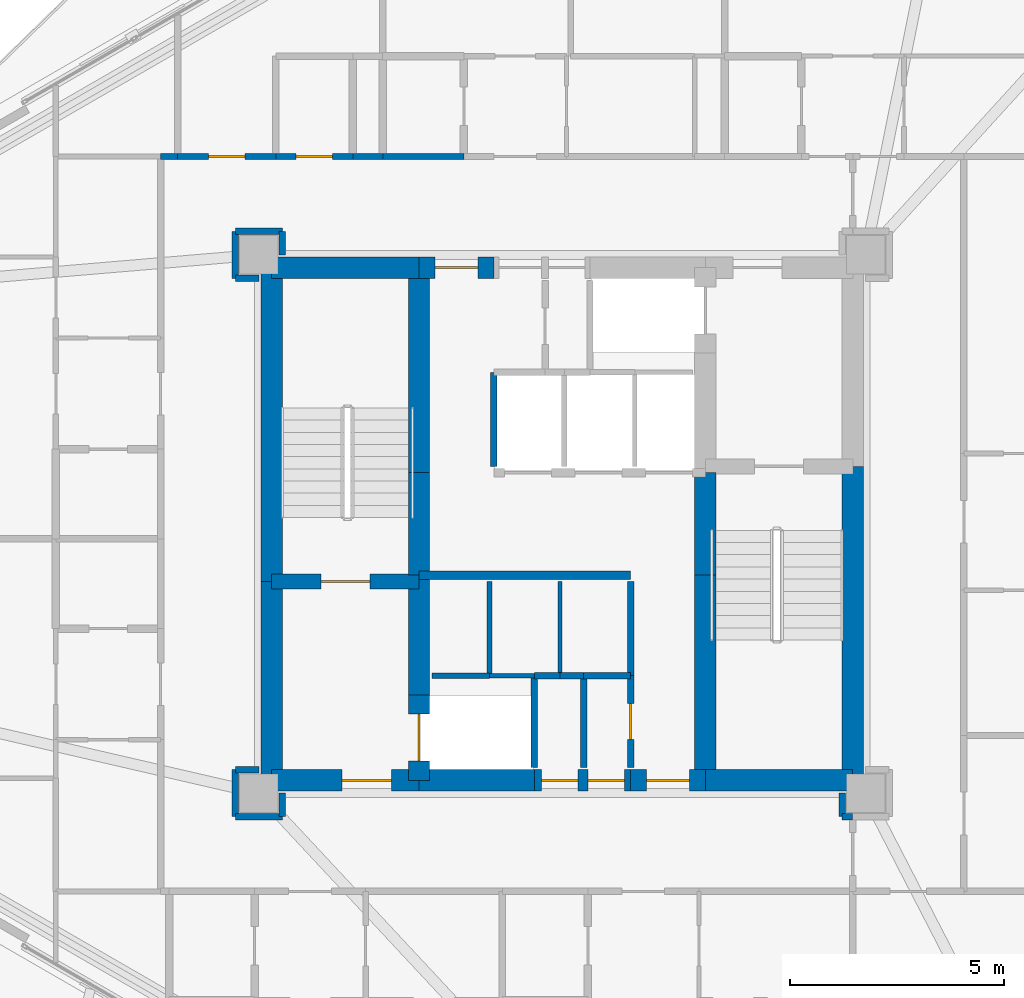
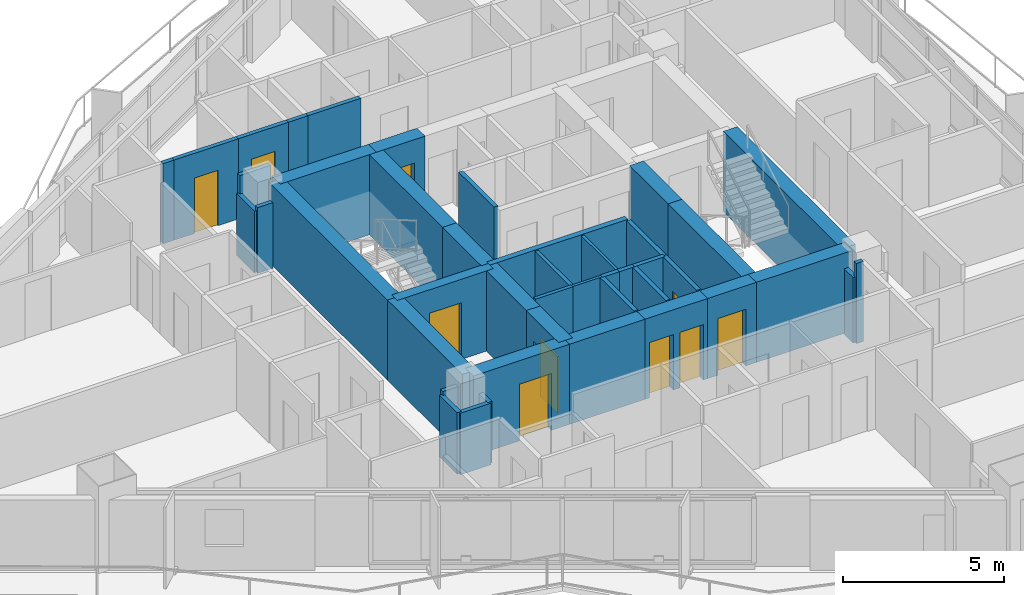
# One storey, part 13 of 18: 45 walls, 10 doors, 10 openings.
"""IFC4 building model written with IfcOpenShell, lengths in metres."""

from ifc_helpers import new_model, si_unit, direction, frame, frame_2d, origin, place, context, subcontext, project, spatial, rectangle, extrude, material, layer, layer_set, type_object, element, fill, save


model = new_model("IFC4")

# Units and contexts
model_context = context("Model", 3, precision=1e-05, world=origin(), true_north=direction((0.0, 1.0)))
body_context = subcontext(model_context, "Body", "Model", "MODEL_VIEW")
ifc_project = project(units=[si_unit("LENGTHUNIT", "METRE"), si_unit("AREAUNIT", "SQUARE_METRE"), si_unit("VOLUMEUNIT", "CUBIC_METRE"), si_unit("PLANEANGLEUNIT", "RADIAN"), si_unit("MASSUNIT", "GRAM", prefix="KILO")], contexts=[model_context])

# Site, building, storey
site_placement = place(None, origin())
site = spatial("IfcSite", under=ifc_project, at=site_placement, CompositionType="ELEMENT")
building_placement = place(site_placement, origin())
building = spatial("IfcBuilding", under=site, at=building_placement, Name="Mersakhor Tower and Convention Hall", CompositionType="ELEMENT")
storey_placement = place(building_placement, frame((0.0, 0.0, 55.5)))
storey = spatial("IfcBuildingStorey", under=building, at=storey_placement, Name="L15", CompositionType="ELEMENT", Elevation=55.5)

# Walls
ifc_material_1 = material(Name="Lightweight gypsum partition", Category="other")
ifc_layer_1 = layer(ifc_material_1, 0.10009765625)
ifc_layer_set_1 = layer_set([ifc_layer_1], Name="Lightweight gypsum partition")
wall_type_1 = type_object("IfcWallType", Name="WL-PRT-100", PredefinedType="PARTITIONING", material=ifc_layer_set_1)
wall_1_placement = place(storey_placement, frame((27.300048828125, 23.199951171875, 0.0), z_axis=(0.0, 0.0, 1.0), x_axis=(1.0, 0.0, 0.0)))
element("IfcWall", 1, at=wall_1_placement, inside=storey, type_object=wall_type_1, Name="L15 Interior Partition Wall P-002", PredefinedType="PARTITIONING", context=body_context, shape_type="SweptSolid", body=[
    extrude(rectangle(XDim=1.050048828125, YDim=0.10009765625, at=frame_2d((0.52490234375, 0.0))), origin(), (0.0, 0.0, 1.0), 3.0400390625),
])
wall_2_placement = place(storey_placement, frame((28.949951171875, 25.39990234375, 0.0), z_axis=(0.0, 0.0, 1.0), x_axis=(0.0, -1.0, 0.0)))
element("IfcWall", 2, at=wall_2_placement, inside=storey, type_object=wall_type_1, Name="L15 Interior Partition Wall P-008", PredefinedType="PARTITIONING", context=body_context, shape_type="SweptSolid", body=[
    extrude(rectangle(XDim=2.199951171875, YDim=0.10009765625, at=frame_2d((1.10009765625, 0.0))), origin(), (0.0, 0.0, 1.0), 3.0400390625),
])
ifc_material_2 = material(Name="Gypsum board acoustic partition", Category="other")
ifc_layer_2 = layer(ifc_material_2, 0.125)
ifc_layer_set_2 = layer_set([ifc_layer_2], Name="Gypsum board acoustic partition")
wall_type_2 = type_object("IfcWallType", Name="WL-PRT-125", PredefinedType="PARTITIONING", material=ifc_layer_set_2)
wall_3_placement = place(storey_placement, frame((25.949951171875, 23.199951171875, 0.0), z_axis=(0.0, 0.0, 1.0), x_axis=(1.0, 0.0, 0.0)))
element("IfcWall", 3, at=wall_3_placement, inside=storey, type_object=wall_type_2, Name="L15 Interior Partition Wall P-001", PredefinedType="PARTITIONING", context=body_context, shape_type="SweptSolid", body=[
    extrude(rectangle(XDim=1.35009765625, YDim=0.125, at=frame_2d((0.675048828125, 0.0))), origin(), (0.0, 0.0, 1.0), 3.0400390625),
])
wall_4_placement = place(storey_placement, frame((27.300048828125, 25.39990234375, 0.0), z_axis=(0.0, 0.0, 1.0), x_axis=(0.0, -1.0, 0.0)))
element("IfcWall", 4, at=wall_4_placement, inside=storey, type_object=wall_type_2, Name="L15 Interior Partition Wall P-007", PredefinedType="PARTITIONING", context=body_context, shape_type="SweptSolid", body=[
    extrude(rectangle(XDim=2.199951171875, YDim=0.125, at=frame_2d((1.10009765625, 0.0))), origin(), (0.0, 0.0, 1.0), 3.0400390625),
])
ifc_material_3 = material(Name="Fire-rated gypsum board stud partition", Category="other")
ifc_layer_3 = layer(ifc_material_3, 0.14990234375)
ifc_layer_set_3 = layer_set([ifc_layer_3], Name="Fire-rated gypsum board stud partition")
wall_type_3 = type_object("IfcWallType", Name="WL-PRT-150", PredefinedType="PARTITIONING", material=ifc_layer_set_3)
wall_5_placement = place(storey_placement, frame((28.35009765625, 23.199951171875, 0.0), z_axis=(0.0, 0.0, 1.0), x_axis=(0.0, -1.0, 0.0)))
element("IfcWall", 5, at=wall_5_placement, inside=storey, type_object=wall_type_3, Name="L15 Interior Partition Wall P-003", PredefinedType="PARTITIONING", context=body_context, shape_type="SweptSolid", body=[
    extrude(rectangle(XDim=2.14990234375, YDim=0.14990234375, at=frame_2d((1.074951171875, 0.0))), origin(), (0.0, 0.0, 1.0), 3.0400390625),
])
wall_6_placement = place(storey_placement, frame((28.949951171875, 23.199951171875, 0.0), z_axis=(0.0, 0.0, 1.0), x_axis=(-1.0, 0.0, 0.0)))
element("IfcWall", 6, at=wall_6_placement, inside=storey, type_object=wall_type_3, Name="L15 Interior Partition Wall P-009", PredefinedType="PARTITIONING", context=body_context, shape_type="SweptSolid", body=[
    extrude(rectangle(XDim=0.599853515625, YDim=0.14990234375, at=frame_2d((0.2998046875, 0.0))), origin(), (0.0, 0.0, 1.0), 3.0400390625),
])
wall_7_placement = place(storey_placement, frame((30.60009765625, 25.39990234375, 0.0), z_axis=(0.0, 0.0, 1.0), x_axis=(0.0, -1.0, 0.0)))
element("IfcWall", 7, at=wall_7_placement, inside=storey, type_object=wall_type_3, Name="L15 Interior Partition Wall P-010", PredefinedType="PARTITIONING", context=body_context, shape_type="SweptSolid", body=[
    extrude(rectangle(XDim=2.199951171875, YDim=0.14990234375, at=frame_2d((1.10009765625, 0.0))), origin(), (0.0, 0.0, 1.0), 3.0400390625),
])
wall_8_placement = place(storey_placement, frame((30.60009765625, 23.199951171875, 0.0), z_axis=(0.0, 0.0, 1.0), x_axis=(-1.0, 0.0, 0.0)))
element("IfcWall", 8, at=wall_8_placement, inside=storey, type_object=wall_type_3, Name="L15 Interior Partition Wall P-011", PredefinedType="PARTITIONING", context=body_context, shape_type="SweptSolid", body=[
    extrude(rectangle(XDim=1.10009765625, YDim=0.14990234375, at=frame_2d((0.550048828125, 0.0))), origin(), (0.0, 0.0, 1.0), 3.0400390625),
])
wall_9_placement = place(storey_placement, frame((29.5, 23.199951171875, 0.0), z_axis=(0.0, 0.0, 1.0), x_axis=(-1.0, 0.0, 0.0)))
element("IfcWall", 9, at=wall_9_placement, inside=storey, type_object=wall_type_3, Name="L15 Interior Partition Wall P-012", PredefinedType="PARTITIONING", context=body_context, shape_type="SweptSolid", body=[
    extrude(rectangle(XDim=0.550048828125, YDim=0.14990234375, at=frame_2d((0.27490234375, 0.0))), origin(), (0.0, 0.0, 1.0), 3.0400390625),
])
wall_10_placement = place(storey_placement, frame((27.39990234375, 28.10009765625, 0.0), z_axis=(0.0, 0.0, 1.0), x_axis=(0.0, 1.0, 0.0)))
element("IfcWall", 10, at=wall_10_placement, inside=storey, type_object=wall_type_3, Name="L15 Interior Partition Wall P-016", PredefinedType="PARTITIONING", context=body_context, shape_type="SweptSolid", body=[
    extrude(rectangle(XDim=2.199951171875, YDim=0.14990234375, at=frame_2d((1.10009765625, 0.0))), origin(), (0.0, 0.0, 1.0), 3.0400390625),
])

# Wall, opening, door
wall_11_placement = place(storey_placement, frame((30.60009765625, 21.050048828125, 0.0), z_axis=(0.0, 0.0, 1.0), x_axis=(0.0, 1.0, 0.0)))
wall_11 = element("IfcWall", 11, at=wall_11_placement, inside=storey, type_object=wall_type_3, Name="L15 Interior Partition Wall P-019", PredefinedType="PARTITIONING", context=body_context, shape_type="SweptSolid", body=[
    extrude(rectangle(XDim=2.14990234375, YDim=0.14990234375, at=frame_2d((1.074951171875, 0.0))), origin(), (0.0, 0.0, 1.0), 3.0400390625),
])
opening_1_placement = place(wall_11_placement, frame((0.64990234375, 0.0, 0.0)))
opening_1 = element("IfcOpeningElement", 12, at=opening_1_placement, cuts=wall_11, Name="Opening SVD-01", PredefinedType="OPENING", context=body_context, shape_type="SweptSolid", body=[
    extrude(rectangle(XDim=0.85009765625, YDim=2.10009765625, at=frame_2d((0.425048828125, 1.050048828125))), frame((0.0, 0.0849609375, 0.0), z_axis=(0.0, -1.0, 0.0), x_axis=(1.0, 0.0, 0.0)), (0.0, 0.0, 1.0), 0.169921875),
])
ifc_material_4 = material(Name="Fire-rated hardwood leaf and painted steel frame", Category="steel")
door_type_1 = type_object("IfcDoorType", Name="DR-INT-SVC-085x210", OperationType="NOTDEFINED", PredefinedType="DOOR", material=ifc_material_4)
door_1_placement = place(opening_1_placement, origin())
door_1 = element("IfcDoor", 13, at=door_1_placement, inside=storey, type_object=door_type_1, Name="L15 Central Passenger Lift Lobby to Refuse and Recycling Room Door", OperationType="SINGLE_SWING_LEFT", OverallHeight=2.10009765625, OverallWidth=0.85009765625, PredefinedType="DOOR", context=body_context, shape_type="SweptSolid", body=[
    extrude(rectangle(XDim=0.85009765625, YDim=2.10009765625, at=frame_2d((0.425048828125, 1.050048828125))), frame((0.0, 0.02490234375, 0.0), z_axis=(0.0, -1.0, 0.0), x_axis=(1.0, 0.0, 0.0)), (0.0, 0.0, 1.0), 0.050048828125),
])
fill(opening_1, door_1)

# Walls
wall_12_placement = place(storey_placement, frame((21.35009765625, 19.89990234375, 0.0), z_axis=(0.0, 0.0, 1.0), x_axis=(1.0, 0.0, 0.0)))
element("IfcWall", 14, at=wall_12_placement, inside=storey, type_object=wall_type_3, Name="L15 Interior Partition Wall P-021", PredefinedType="PARTITIONING", context=body_context, shape_type="SweptSolid", body=[
    extrude(rectangle(XDim=1.099853515625, YDim=0.14990234375, at=frame_2d((0.5498046875, 0.0))), origin(), (0.0, 0.0, 1.0), 2.33740234375),
])
wall_13_placement = place(storey_placement, frame((22.449951171875, 19.89990234375, 0.0), z_axis=(0.0, 0.0, 1.0), x_axis=(0.0, 1.0, 0.0)))
element("IfcWall", 15, at=wall_13_placement, inside=storey, type_object=wall_type_3, Name="L15 Interior Partition Wall P-022", PredefinedType="PARTITIONING", context=body_context, shape_type="SweptSolid", body=[
    extrude(rectangle(XDim=0.550048828125, YDim=0.14990234375, at=frame_2d((0.27490234375, 0.0))), origin(), (0.0, 0.0, 1.0), 2.33740234375),
])
wall_14_placement = place(storey_placement, frame((35.550048828125, 20.449951171875, 0.0), z_axis=(0.0, 0.0, 1.0), x_axis=(0.0, -1.0, 0.0)))
element("IfcWall", 16, at=wall_14_placement, inside=storey, type_object=wall_type_3, Name="L15 Interior Partition Wall P-023", PredefinedType="PARTITIONING", context=body_context, shape_type="SweptSolid", body=[
    extrude(rectangle(XDim=0.550048828125, YDim=0.14990234375, at=frame_2d((0.27490234375, 0.0))), origin(), (0.0, 0.0, 1.0), 2.48828125),
])
wall_15_placement = place(storey_placement, frame((35.550048828125, 19.89990234375, 0.0), z_axis=(0.0, 0.0, 1.0), x_axis=(1.0, 0.0, 0.0)))
element("IfcWall", 17, at=wall_15_placement, inside=storey, type_object=wall_type_3, Name="L15 Interior Partition Wall P-024", PredefinedType="PARTITIONING", context=body_context, shape_type="SweptSolid", body=[
    extrude(rectangle(XDim=0.25, YDim=0.14990234375, at=frame_2d((0.125, 0.0))), origin(), (0.0, 0.0, 1.0), 3.0400390625),
])
wall_16_placement = place(storey_placement, frame((19.60009765625, 35.35009765625, 0.0), z_axis=(0.0, 0.0, 1.0), x_axis=(1.0, 0.0, 0.0)))
element("IfcWall", 18, at=wall_16_placement, inside=storey, type_object=wall_type_3, Name="L15 Interior Partition Wall P-039", PredefinedType="PARTITIONING", context=body_context, shape_type="SweptSolid", body=[
    extrude(rectangle(XDim=0.39990234375, YDim=0.14990234375, at=frame_2d((0.199951171875, 0.0))), origin(), (0.0, 0.0, 1.0), 3.0400390625),
])

# Wall, opening, door
wall_17_placement = place(storey_placement, frame((20.0, 35.35009765625, 0.0), z_axis=(0.0, 0.0, 1.0), x_axis=(1.0, 0.0, 0.0)))
wall_17 = element("IfcWall", 19, at=wall_17_placement, inside=storey, type_object=wall_type_3, Name="L15 Interior Partition Wall P-040", PredefinedType="PARTITIONING", context=body_context, shape_type="SweptSolid", body=[
    extrude(rectangle(XDim=2.300048828125, YDim=0.14990234375, at=frame_2d((1.14990234375, 0.0))), origin(), (0.0, 0.0, 1.0), 3.0400390625),
])
opening_2_placement = place(wall_17_placement, frame((0.72509765625, 0.0, 0.0)))
opening_2 = element("IfcOpeningElement", 20, at=opening_2_placement, cuts=wall_17, Name="Opening SVD-01", PredefinedType="OPENING", context=body_context, shape_type="SweptSolid", body=[
    extrude(rectangle(XDim=0.85009765625, YDim=2.10009765625, at=frame_2d((0.425048828125, 1.050048828125))), frame((0.0, 0.0849609375, 0.0), z_axis=(0.0, -1.0, 0.0), x_axis=(1.0, 0.0, 0.0)), (0.0, 0.0, 1.0), 0.169921875),
])
door_2_placement = place(opening_2_placement, origin())
door_2 = element("IfcDoor", 21, at=door_2_placement, inside=storey, type_object=door_type_1, Name="L15 Residential Ring Corridor to L15 Floor Household Store Room 1-1 Door", OperationType="SINGLE_SWING_LEFT", OverallHeight=2.10009765625, OverallWidth=0.85009765625, PredefinedType="DOOR", context=body_context, shape_type="SweptSolid", body=[
    extrude(rectangle(XDim=0.85009765625, YDim=2.10009765625, at=frame_2d((0.425048828125, 1.050048828125))), frame((0.0, 0.02490234375, 0.0), z_axis=(0.0, -1.0, 0.0), x_axis=(1.0, 0.0, 0.0)), (0.0, 0.0, 1.0), 0.050048828125),
])
fill(opening_2, door_2)

wall_18_placement = place(storey_placement, frame((22.300048828125, 35.35009765625, 0.0), z_axis=(0.0, 0.0, 1.0), x_axis=(1.0, 0.0, 0.0)))
wall_18 = element("IfcWall", 22, at=wall_18_placement, inside=storey, type_object=wall_type_3, Name="L15 Interior Partition Wall P-041", PredefinedType="PARTITIONING", context=body_context, shape_type="SweptSolid", body=[
    extrude(rectangle(XDim=1.800048828125, YDim=0.14990234375, at=frame_2d((0.89990234375, 0.0))), origin(), (0.0, 0.0, 1.0), 3.0400390625),
])
opening_3_placement = place(wall_18_placement, frame((0.47509765625, 0.0, 0.0)))
opening_3 = element("IfcOpeningElement", 23, at=opening_3_placement, cuts=wall_18, Name="Opening SVD-01", PredefinedType="OPENING", context=body_context, shape_type="SweptSolid", body=[
    extrude(rectangle(XDim=0.85009765625, YDim=2.10009765625, at=frame_2d((0.425048828125, 1.050048828125))), frame((0.0, 0.0849609375, 0.0), z_axis=(0.0, -1.0, 0.0), x_axis=(1.0, 0.0, 0.0)), (0.0, 0.0, 1.0), 0.169921875),
])
door_3_placement = place(opening_3_placement, origin())
door_3 = element("IfcDoor", 24, at=door_3_placement, inside=storey, type_object=door_type_1, Name="L15 Residential Ring Corridor to L15 Floor Shared Restroom WC 1-2 Door", OperationType="SINGLE_SWING_LEFT", OverallHeight=2.10009765625, OverallWidth=0.85009765625, PredefinedType="DOOR", context=body_context, shape_type="SweptSolid", body=[
    extrude(rectangle(XDim=0.85009765625, YDim=2.10009765625, at=frame_2d((0.425048828125, 1.050048828125))), frame((0.0, 0.02490234375, 0.0), z_axis=(0.0, -1.0, 0.0), x_axis=(1.0, 0.0, 0.0)), (0.0, 0.0, 1.0), 0.050048828125),
])
fill(opening_3, door_3)

# Walls
wall_19_placement = place(storey_placement, frame((24.10009765625, 35.35009765625, 0.0), z_axis=(0.0, 0.0, 1.0), x_axis=(1.0, 0.0, 0.0)))
element("IfcWall", 25, at=wall_19_placement, inside=storey, type_object=wall_type_3, Name="L15 Interior Partition Wall P-042", PredefinedType="PARTITIONING", context=body_context, shape_type="SweptSolid", body=[
    extrude(rectangle(XDim=0.699951171875, YDim=0.14990234375, at=frame_2d((0.35009765625, 0.0))), origin(), (0.0, 0.0, 1.0), 3.0400390625),
])
wall_20_placement = place(storey_placement, frame((24.800048828125, 35.35009765625, 0.0), z_axis=(0.0, 0.0, 1.0), x_axis=(1.0, 0.0, 0.0)))
element("IfcWall", 26, at=wall_20_placement, inside=storey, type_object=wall_type_3, Name="L15 Interior Partition Wall P-043", PredefinedType="PARTITIONING", context=body_context, shape_type="SweptSolid", body=[
    extrude(rectangle(XDim=1.89990234375, YDim=0.14990234375, at=frame_2d((0.949951171875, 0.0))), origin(), (0.0, 0.0, 1.0), 3.0400390625),
])
wall_21_placement = place(storey_placement, frame((22.449951171875, 33.050048828125, 0.0), z_axis=(0.0, 0.0, 1.0), x_axis=(0.0, 1.0, 0.0)))
element("IfcWall", 27, at=wall_21_placement, inside=storey, type_object=wall_type_3, Name="L15 Interior Partition Wall P-052", PredefinedType="PARTITIONING", context=body_context, shape_type="SweptSolid", body=[
    extrude(rectangle(XDim=0.550048828125, YDim=0.14990234375, at=frame_2d((0.27490234375, 0.0))), origin(), (0.0, 0.0, 1.0), 2.48828125),
])
wall_22_placement = place(storey_placement, frame((22.449951171875, 33.60009765625, 0.0), z_axis=(0.0, 0.0, 1.0), x_axis=(-1.0, 0.0, 0.0)))
element("IfcWall", 28, at=wall_22_placement, inside=storey, type_object=wall_type_3, Name="L15 Interior Partition Wall P-053", PredefinedType="PARTITIONING", context=body_context, shape_type="SweptSolid", body=[
    extrude(rectangle(XDim=1.099853515625, YDim=0.14990234375, at=frame_2d((0.5498046875, 0.0))), origin(), (0.0, 0.0, 1.0), 3.0400390625),
])
wall_23_placement = place(storey_placement, frame((21.35009765625, 33.60009765625, 0.0), z_axis=(0.0, 0.0, 1.0), x_axis=(0.0, -1.0, 0.0)))
element("IfcWall", 29, at=wall_23_placement, inside=storey, type_object=wall_type_3, Name="L15 Interior Partition Wall P-054", PredefinedType="PARTITIONING", context=body_context, shape_type="SweptSolid", body=[
    extrude(rectangle(XDim=1.10009765625, YDim=0.14990234375, at=frame_2d((0.550048828125, 0.0))), origin(), (0.0, 0.0, 1.0), 2.33740234375),
])
for number, where, z_axis, x_axis, name in (
    (30, (21.35009765625, 32.5, 0.0), (0.0, 0.0, 1.0), (1.0, 0.0, 0.0), "L15 Interior Partition Wall P-055"),
    (31, (21.89990234375, 21.0, 0.0), (0.0, 0.0, 1.0), (-1.0, 0.0, 0.0), "L15 Interior Partition Wall P-056"),
):
    element("IfcWall", number, at=place(storey_placement, frame(where, z_axis=z_axis, x_axis=x_axis)), inside=storey, type_object=wall_type_3, Name=name, PredefinedType="PARTITIONING", context=body_context, shape_type="SweptSolid", body=[
        extrude(rectangle(XDim=0.5498046875, YDim=0.14990234375, at=frame_2d((0.27490234375, 0.0))), origin(), (0.0, 0.0, 1.0), 2.48828125),
    ])
wall_24_placement = place(storey_placement, frame((21.35009765625, 21.0, 0.0), z_axis=(0.0, 0.0, 1.0), x_axis=(0.0, -1.0, 0.0)))
element("IfcWall", 32, at=wall_24_placement, inside=storey, type_object=wall_type_3, Name="L15 Interior Partition Wall P-057", PredefinedType="PARTITIONING", context=body_context, shape_type="SweptSolid", body=[
    extrude(rectangle(XDim=1.10009765625, YDim=0.14990234375, at=frame_2d((0.550048828125, 0.0))), origin(), (0.0, 0.0, 1.0), 2.33740234375),
])
wall_25_placement = place(storey_placement, frame((29.5, 23.199951171875, 0.0), z_axis=(0.0, 0.0, 1.0), x_axis=(0.0, -1.0, 0.0)))
element("IfcWall", 33, at=wall_25_placement, inside=storey, type_object=wall_type_3, Name="L15 Interior Partition Wall P-123", PredefinedType="PARTITIONING", context=body_context, shape_type="SweptSolid", body=[
    extrude(rectangle(XDim=2.14990234375, YDim=0.14990234375, at=frame_2d((1.074951171875, 0.0))), origin(), (0.0, 0.0, 1.0), 3.0400390625),
])
ifc_material_5 = material(Name="Acoustic concrete blockwork and gypsum board", Category="masonry")
ifc_layer_4 = layer(ifc_material_5, 0.199951171875)
ifc_layer_set_4 = layer_set([ifc_layer_4], Name="Acoustic concrete blockwork and gypsum board")
wall_type_4 = type_object("IfcWallType", Name="WL-PRT-200", PredefinedType="PARTITIONING", material=ifc_layer_set_4)
wall_26_placement = place(storey_placement, frame((25.64990234375, 25.550048828125, 0.0), z_axis=(0.0, 0.0, 1.0), x_axis=(1.0, 0.0, 0.0)))
element("IfcWall", 34, at=wall_26_placement, inside=storey, type_object=wall_type_4, Name="L15 High-Rise Lift Bank Front Wall", PredefinedType="PARTITIONING", context=body_context, shape_type="SweptSolid", body=[
    extrude(rectangle(XDim=4.9501953125, YDim=0.199951171875, at=frame_2d((2.47509765625, 0.0))), origin(), (0.0, 0.0, 1.0), 3.0400390625),
])

# Wall, opening, door
ifc_material_6 = material(Name="Concrete C50/60", Category="concrete")
ifc_layer_5 = layer(ifc_material_6, 0.35009765625)
ifc_layer_set_5 = layer_set([ifc_layer_5], Name="Concrete C50/60")
wall_type_5 = type_object("IfcWallType", Name="WL-SHR-350", PredefinedType="SHEAR", material=ifc_layer_set_5)
wall_27_placement = place(storey_placement, frame((22.199951171875, 25.39990234375, 0.0), z_axis=(0.0, 0.0, 1.0), x_axis=(1.0, 0.0, 0.0)))
wall_27 = element("IfcWall", 35, at=wall_27_placement, inside=storey, type_object=wall_type_5, Name="L15 Core Wall CS-ST1-S", PredefinedType="SHEAR", context=body_context, shape_type="SweptSolid", body=[
    extrude(rectangle(XDim=3.449951171875, YDim=0.35009765625, at=frame_2d((1.72509765625, 0.0))), origin(), (0.0, 0.0, 1.0), 3.0400390625),
])
opening_4_placement = place(wall_27_placement, frame((1.14990234375, 0.0, 0.0)))
opening_4 = element("IfcOpeningElement", 36, at=opening_4_placement, cuts=wall_27, Name="Opening SD-01", PredefinedType="OPENING", context=body_context, shape_type="SweptSolid", body=[
    extrude(rectangle(XDim=1.14990234375, YDim=2.14990234375, at=frame_2d((0.574951171875, 1.074951171875))), frame((0.0, 0.18505859375, 0.0), z_axis=(0.0, -1.0, 0.0), x_axis=(1.0, 0.0, 0.0)), (0.0, 0.0, 1.0), 0.3701171875),
])
ifc_material_7 = material(Name="Fire-rated hardwood leaf and painted steel frame", Category="steel")
door_type_2 = type_object("IfcDoorType", Name="DR-INT-STAIR-115x215", OperationType="NOTDEFINED", PredefinedType="DOOR", material=ifc_material_7)
door_4_placement = place(opening_4_placement, origin())
door_4 = element("IfcDoor", 37, at=door_4_placement, inside=storey, type_object=door_type_2, Name="L15 Exit Stair ST-1 Enclosure Door", OperationType="SINGLE_SWING_LEFT", OverallHeight=2.14990234375, OverallWidth=1.14990234375, PredefinedType="DOOR", context=body_context, shape_type="SweptSolid", body=[
    extrude(rectangle(XDim=1.14990234375, YDim=2.14990234375, at=frame_2d((0.574951171875, 1.074951171875))), frame((0.0, 0.02490234375, 0.0), z_axis=(0.0, -1.0, 0.0), x_axis=(1.0, 0.0, 0.0)), (0.0, 0.0, 1.0), 0.050048828125),
])
fill(opening_4, door_4)

# Walls
ifc_material_8 = material(Name="Concrete C70/85", Category="concrete")
ifc_layer_6 = layer(ifc_material_8, 0.5)
ifc_layer_set_6 = layer_set([ifc_layer_6], Name="Concrete C70/85")
wall_type_6 = type_object("IfcWallType", Name="WL-SHR-500", PredefinedType="SHEAR", material=ifc_layer_set_6)
wall_28_placement = place(storey_placement, frame((22.199951171875, 20.75, 0.0), z_axis=(0.0, 0.0, 1.0), x_axis=(0.0, 1.0, 0.0)))
element("IfcWall", 38, at=wall_28_placement, inside=storey, type_object=wall_type_6, Name="L15 Core Wall CW-W1", PredefinedType="SHEAR", context=body_context, shape_type="SweptSolid", body=[
    extrude(rectangle(XDim=4.64990234375, YDim=0.5, at=frame_2d((2.324951171875, 0.0))), origin(), (0.0, 0.0, 1.0), 3.0400390625),
])
wall_29_placement = place(storey_placement, frame((22.199951171875, 25.39990234375, 0.0), z_axis=(0.0, 0.0, 1.0), x_axis=(0.0, 1.0, 0.0)))
element("IfcWall", 39, at=wall_29_placement, inside=storey, type_object=wall_type_6, Name="L15 Core Wall CW-W2", PredefinedType="SHEAR", context=body_context, shape_type="SweptSolid", body=[
    extrude(rectangle(XDim=7.35009765625, YDim=0.5, at=frame_2d((3.675048828125, 0.0))), origin(), (0.0, 0.0, 1.0), 3.0400390625),
])
wall_30_placement = place(storey_placement, frame((22.199951171875, 32.75, 0.0), z_axis=(0.0, 0.0, 1.0), x_axis=(1.0, 0.0, 0.0)))
element("IfcWall", 40, at=wall_30_placement, inside=storey, type_object=wall_type_6, Name="L15 Core Wall CW-N1", PredefinedType="SHEAR", context=body_context, shape_type="SweptSolid", body=[
    extrude(rectangle(XDim=3.449951171875, YDim=0.5, at=frame_2d((1.72509765625, 0.0))), origin(), (0.0, 0.0, 1.0), 3.0400390625),
])

# Wall, opening, door
wall_31_placement = place(storey_placement, frame((25.64990234375, 32.75, 0.0), z_axis=(0.0, 0.0, 1.0), x_axis=(1.0, 0.0, 0.0)))
wall_31 = element("IfcWall", 41, at=wall_31_placement, inside=storey, type_object=wall_type_6, Name="L15 Core Wall CW-N2A", PredefinedType="SHEAR", context=body_context, shape_type="SweptSolid", body=[
    extrude(rectangle(XDim=1.75, YDim=0.5, at=frame_2d((0.875, 0.0))), origin(), (0.0, 0.0, 1.0), 3.0400390625),
])
opening_5_placement = place(wall_31_placement, frame((0.375, 0.0, 0.0)))
opening_5 = element("IfcOpeningElement", 42, at=opening_5_placement, cuts=wall_31, Name="Opening CFD-01", PredefinedType="OPENING", context=body_context, shape_type="SweptSolid", body=[
    extrude(rectangle(XDim=1.0, YDim=2.14990234375, at=frame_2d((0.5, 1.074951171875))), frame((0.0, 0.260009765625, 0.0), z_axis=(0.0, -1.0, 0.0), x_axis=(1.0, 0.0, 0.0)), (0.0, 0.0, 1.0), 0.52001953125),
])
ifc_material_9 = material(Name="Fire-rated hardwood leaf and painted steel frame", Category="steel")
door_type_3 = type_object("IfcDoorType", Name="DR-CORE-FD-100x215", OperationType="NOTDEFINED", PredefinedType="DOOR", material=ifc_material_9)
door_5_placement = place(opening_5_placement, origin())
door_5 = element("IfcDoor", 43, at=door_5_placement, inside=storey, type_object=door_type_3, Name="L15 Lift Lobby North Corridor Door", OperationType="SINGLE_SWING_LEFT", OverallHeight=2.14990234375, OverallWidth=1.0, PredefinedType="DOOR", context=body_context, shape_type="SweptSolid", body=[
    extrude(rectangle(XDim=1.0, YDim=2.14990234375, at=frame_2d((0.5, 1.074951171875))), frame((0.0, 0.02490234375, 0.0), z_axis=(0.0, -1.0, 0.0), x_axis=(1.0, 0.0, 0.0)), (0.0, 0.0, 1.0), 0.050048828125),
])
fill(opening_5, door_5)

# Walls
wall_32_placement = place(storey_placement, frame((35.800048828125, 28.10009765625, 0.0), z_axis=(0.0, 0.0, 1.0), x_axis=(0.0, -1.0, 0.0)))
element("IfcWall", 44, at=wall_32_placement, inside=storey, type_object=wall_type_6, Name="L15 Core Wall CW-E2", PredefinedType="SHEAR", context=body_context, shape_type="SweptSolid", body=[
    extrude(rectangle(XDim=7.35009765625, YDim=0.5, at=frame_2d((3.675048828125, 0.0))), origin(), (0.0, 0.0, 1.0), 3.0400390625),
])
wall_33_placement = place(storey_placement, frame((35.800048828125, 20.75, 0.0), z_axis=(0.0, 0.0, 1.0), x_axis=(-1.0, 0.0, 0.0)))
element("IfcWall", 45, at=wall_33_placement, inside=storey, type_object=wall_type_6, Name="L15 Core Wall CW-S1", PredefinedType="SHEAR", context=body_context, shape_type="SweptSolid", body=[
    extrude(rectangle(XDim=3.449951171875, YDim=0.5, at=frame_2d((1.72509765625, 0.0))), origin(), (0.0, 0.0, 1.0), 3.0400390625),
])

# Wall, opening, door
wall_34_placement = place(storey_placement, frame((32.35009765625, 20.75, 0.0), z_axis=(0.0, 0.0, 1.0), x_axis=(-1.0, 0.0, 0.0)))
wall_34 = element("IfcWall", 46, at=wall_34_placement, inside=storey, type_object=wall_type_6, Name="L15 Core Wall CW-S2A", PredefinedType="SHEAR", context=body_context, shape_type="SweptSolid", body=[
    extrude(rectangle(XDim=1.75, YDim=0.5, at=frame_2d((0.875, 0.0))), origin(), (0.0, 0.0, 1.0), 3.0400390625),
])
opening_6_placement = place(wall_34_placement, frame((0.375, 0.0, 0.0)))
opening_6 = element("IfcOpeningElement", 47, at=opening_6_placement, cuts=wall_34, Name="Opening CFD-01", PredefinedType="OPENING", context=body_context, shape_type="SweptSolid", body=[
    extrude(rectangle(XDim=1.0, YDim=2.14990234375, at=frame_2d((0.5, 1.074951171875))), frame((0.0, 0.260009765625, 0.0), z_axis=(0.0, -1.0, 0.0), x_axis=(1.0, 0.0, 0.0)), (0.0, 0.0, 1.0), 0.52001953125),
])
door_6_placement = place(opening_6_placement, origin())
door_6 = element("IfcDoor", 48, at=door_6_placement, inside=storey, type_object=door_type_3, Name="L15 Lift Lobby South Corridor Door", OperationType="SINGLE_SWING_RIGHT", OverallHeight=2.14990234375, OverallWidth=1.0, PredefinedType="DOOR", context=body_context, shape_type="SweptSolid", body=[
    extrude(rectangle(XDim=1.0, YDim=2.14990234375, at=frame_2d((0.5, 1.074951171875))), frame((0.0, 0.02490234375, 0.0), z_axis=(0.0, -1.0, 0.0), x_axis=(1.0, 0.0, 0.0)), (0.0, 0.0, 1.0), 0.050048828125),
])
fill(opening_6, door_6)

# Wall, openings, doors
wall_35_placement = place(storey_placement, frame((30.60009765625, 20.75, 0.0), z_axis=(0.0, 0.0, 1.0), x_axis=(-1.0, 0.0, 0.0)))
wall_35 = element("IfcWall", 49, at=wall_35_placement, inside=storey, type_object=wall_type_6, Name="L15 Core Wall CW-S2B", PredefinedType="SHEAR", context=body_context, shape_type="SweptSolid", body=[
    extrude(rectangle(XDim=2.25, YDim=0.5, at=frame_2d((1.125, 0.0))), origin(), (0.0, 0.0, 1.0), 3.0400390625),
])
opening_7_placement = place(wall_35_placement, frame((1.22998046875, 0.0, 0.0)))
opening_7 = element("IfcOpeningElement", 50, at=opening_7_placement, cuts=wall_35, Name="Opening SVD-01", PredefinedType="OPENING", context=body_context, shape_type="SweptSolid", body=[
    extrude(rectangle(XDim=0.85009765625, YDim=2.10009765625, at=frame_2d((0.425048828125, 1.050048828125))), frame((0.0, 0.260009765625, 0.0), z_axis=(0.0, -1.0, 0.0), x_axis=(1.0, 0.0, 0.0)), (0.0, 0.0, 1.0), 0.52001953125),
])
opening_8_placement = place(wall_35_placement, frame((0.14501953125, 0.0, 0.0)))
opening_8 = element("IfcOpeningElement", 51, at=opening_8_placement, cuts=wall_35, Name="Opening SVD-01", PredefinedType="OPENING", context=body_context, shape_type="SweptSolid", body=[
    extrude(rectangle(XDim=0.85009765625, YDim=2.10009765625, at=frame_2d((0.425048828125, 1.050048828125))), frame((0.0, 0.260009765625, 0.0), z_axis=(0.0, -1.0, 0.0), x_axis=(1.0, 0.0, 0.0)), (0.0, 0.0, 1.0), 0.52001953125),
])
door_7_placement = place(opening_7_placement, origin())
door_7 = element("IfcDoor", 52, at=door_7_placement, inside=storey, type_object=door_type_1, Name="L15 Residential Ring Corridor to Mechanical Valve Plant Room Door", OperationType="SINGLE_SWING_RIGHT", OverallHeight=2.10009765625, OverallWidth=0.85009765625, PredefinedType="DOOR", context=body_context, shape_type="SweptSolid", body=[
    extrude(rectangle(XDim=0.85009765625, YDim=2.10009765625, at=frame_2d((0.425048828125, 1.050048828125))), frame((0.0, 0.02490234375, 0.0), z_axis=(0.0, -1.0, 0.0), x_axis=(1.0, 0.0, 0.0)), (0.0, 0.0, 1.0), 0.050048828125),
])
fill(opening_7, door_7)
door_8_placement = place(opening_8_placement, origin())
door_8 = element("IfcDoor", 53, at=door_8_placement, inside=storey, type_object=door_type_1, Name="L15 Residential Ring Corridor to Refuse and Recycling Room Door", OperationType="SINGLE_SWING_LEFT", OverallHeight=2.10009765625, OverallWidth=0.85009765625, PredefinedType="DOOR", context=body_context, shape_type="SweptSolid", body=[
    extrude(rectangle(XDim=0.85009765625, YDim=2.10009765625, at=frame_2d((0.425048828125, 1.050048828125))), frame((0.0, 0.02490234375, 0.0), z_axis=(0.0, -1.0, 0.0), x_axis=(1.0, 0.0, 0.0)), (0.0, 0.0, 1.0), 0.050048828125),
])
fill(opening_8, door_8)

# Wall
wall_36_placement = place(storey_placement, frame((28.35009765625, 20.75, 0.0), z_axis=(0.0, 0.0, 1.0), x_axis=(-1.0, 0.0, 0.0)))
element("IfcWall", 54, at=wall_36_placement, inside=storey, type_object=wall_type_6, Name="L15 Core Wall CW-S3", PredefinedType="SHEAR", context=body_context, shape_type="SweptSolid", body=[
    extrude(rectangle(XDim=2.7001953125, YDim=0.5, at=frame_2d((1.35009765625, 0.0))), origin(), (0.0, 0.0, 1.0), 3.0400390625),
])

# Wall, opening, door
wall_37_placement = place(storey_placement, frame((25.64990234375, 20.75, 0.0), z_axis=(0.0, 0.0, 1.0), x_axis=(-1.0, 0.0, 0.0)))
wall_37 = element("IfcWall", 55, at=wall_37_placement, inside=storey, type_object=wall_type_6, Name="L15 Core Wall CW-S4", PredefinedType="SHEAR", context=body_context, shape_type="SweptSolid", body=[
    extrude(rectangle(XDim=3.449951171875, YDim=0.5, at=frame_2d((1.72509765625, 0.0))), origin(), (0.0, 0.0, 1.0), 3.0400390625),
])
opening_9_placement = place(wall_37_placement, frame((0.64990234375, 0.0, 0.0)))
opening_9 = element("IfcOpeningElement", 56, at=opening_9_placement, cuts=wall_37, Name="Opening SD-01", PredefinedType="OPENING", context=body_context, shape_type="SweptSolid", body=[
    extrude(rectangle(XDim=1.14990234375, YDim=2.14990234375, at=frame_2d((0.574951171875, 1.074951171875))), frame((0.0, 0.260009765625, 0.0), z_axis=(0.0, -1.0, 0.0), x_axis=(1.0, 0.0, 0.0)), (0.0, 0.0, 1.0), 0.52001953125),
])
door_9_placement = place(opening_9_placement, origin())
door_9 = element("IfcDoor", 57, at=door_9_placement, inside=storey, type_object=door_type_2, Name="L15 Firefighting Lobby West Fire Door", OperationType="SINGLE_SWING_LEFT", OverallHeight=2.14990234375, OverallWidth=1.14990234375, PredefinedType="DOOR", context=body_context, shape_type="SweptSolid", body=[
    extrude(rectangle(XDim=1.14990234375, YDim=2.14990234375, at=frame_2d((0.574951171875, 1.074951171875))), frame((0.0, 0.02490234375, 0.0), z_axis=(0.0, -1.0, 0.0), x_axis=(1.0, 0.0, 0.0)), (0.0, 0.0, 1.0), 0.050048828125),
])
fill(opening_9, door_9)

wall_38_placement = place(storey_placement, frame((25.64990234375, 20.75, 0.0), z_axis=(0.0, 0.0, 1.0), x_axis=(0.0, 1.0, 0.0)))
wall_38 = element("IfcWall", 58, at=wall_38_placement, inside=storey, type_object=wall_type_6, Name="L15 Core Wall CS-W-FFL", PredefinedType="SHEAR", context=body_context, shape_type="SweptSolid", body=[
    extrude(rectangle(XDim=2.0, YDim=0.5, at=frame_2d((1.0, 0.0))), origin(), (0.0, 0.0, 1.0), 3.0400390625),
])
opening_10_placement = place(wall_38_placement, frame((0.449951171875, 0.0, 0.0)))
opening_10 = element("IfcOpeningElement", 59, at=opening_10_placement, cuts=wall_38, Name="Opening LD-FFL1", PredefinedType="OPENING", context=body_context, shape_type="SweptSolid", body=[
    extrude(rectangle(XDim=1.10009765625, YDim=2.14990234375, at=frame_2d((0.550048828125, 1.074951171875))), frame((0.0, 0.260009765625, 0.0), z_axis=(0.0, -1.0, 0.0), x_axis=(1.0, 0.0, 0.0)), (0.0, 0.0, 1.0), 0.52001953125),
])
ifc_material_10 = material(Name="Fire-rated brushed stainless steel sliding landing door", Category="steel")
door_type_4 = type_object("IfcDoorType", Name="DR-LIFT-SLD-110x215", OperationType="NOTDEFINED", PredefinedType="DOOR", material=ifc_material_10)
door_10_placement = place(opening_10_placement, origin())
door_10 = element("IfcDoor", 60, at=door_10_placement, inside=storey, type_object=door_type_4, Name="L15 Firefighting Lift Landing Door LD-FFL1", OperationType="SLIDING_TO_LEFT", OverallHeight=2.14990234375, OverallWidth=1.10009765625, PredefinedType="DOOR", context=body_context, shape_type="SweptSolid", body=[
    extrude(rectangle(XDim=1.10009765625, YDim=2.14990234375, at=frame_2d((0.550048828125, 1.074951171875))), frame((0.0, 0.02490234375, 0.0), z_axis=(0.0, -1.0, 0.0), x_axis=(1.0, 0.0, 0.0)), (0.0, 0.0, 1.0), 0.050048828125),
])
fill(opening_10, door_10)

# Walls
wall_39_placement = place(storey_placement, frame((25.64990234375, 22.75, 0.0), z_axis=(0.0, 0.0, 1.0), x_axis=(0.0, 1.0, 0.0)))
element("IfcWall", 61, at=wall_39_placement, inside=storey, type_object=wall_type_6, Name="L15 Core Wall CS-W-MID", PredefinedType="SHEAR", context=body_context, shape_type="SweptSolid", body=[
    extrude(rectangle(XDim=2.800048828125, YDim=0.5, at=frame_2d((1.39990234375, 0.0))), origin(), (0.0, 0.0, 1.0), 3.0400390625),
])
wall_40_placement = place(storey_placement, frame((25.64990234375, 25.550048828125, 0.0), z_axis=(0.0, 0.0, 1.0), x_axis=(0.0, 1.0, 0.0)))
element("IfcWall", 62, at=wall_40_placement, inside=storey, type_object=wall_type_6, Name="L15 Core Wall CS-W-LOB", PredefinedType="SHEAR", context=body_context, shape_type="SweptSolid", body=[
    extrude(rectangle(XDim=2.39990234375, YDim=0.5, at=frame_2d((1.199951171875, 0.0))), origin(), (0.0, 0.0, 1.0), 3.0400390625),
])
for number, where, z_axis, x_axis, name in (
    (63, (25.64990234375, 27.949951171875, 0.0), (0.0, 0.0, 1.0), (0.0, 1.0, 0.0), "L15 Core Wall CS-W-ST1"),
    (64, (32.35009765625, 20.75, 0.0), (0.0, 0.0, 1.0), (0.0, 1.0, 0.0), "L15 Core Wall CS-E-ST2"),
):
    element("IfcWall", number, at=place(storey_placement, frame(where, z_axis=z_axis, x_axis=x_axis)), inside=storey, type_object=wall_type_6, Name=name, PredefinedType="SHEAR", context=body_context, shape_type="SweptSolid", body=[
        extrude(rectangle(XDim=4.800048828125, YDim=0.5, at=frame_2d((2.39990234375, 0.0))), origin(), (0.0, 0.0, 1.0), 3.0400390625),
    ])
wall_41_placement = place(storey_placement, frame((32.35009765625, 25.550048828125, 0.0), z_axis=(0.0, 0.0, 1.0), x_axis=(0.0, 1.0, 0.0)))
element("IfcWall", 65, at=wall_41_placement, inside=storey, type_object=wall_type_6, Name="L15 Core Wall CS-E-LOB", PredefinedType="SHEAR", context=body_context, shape_type="SweptSolid", body=[
    extrude(rectangle(XDim=2.39990234375, YDim=0.5, at=frame_2d((1.199951171875, 0.0))), origin(), (0.0, 0.0, 1.0), 3.0400390625),
])

save(model, "model.ifc")
